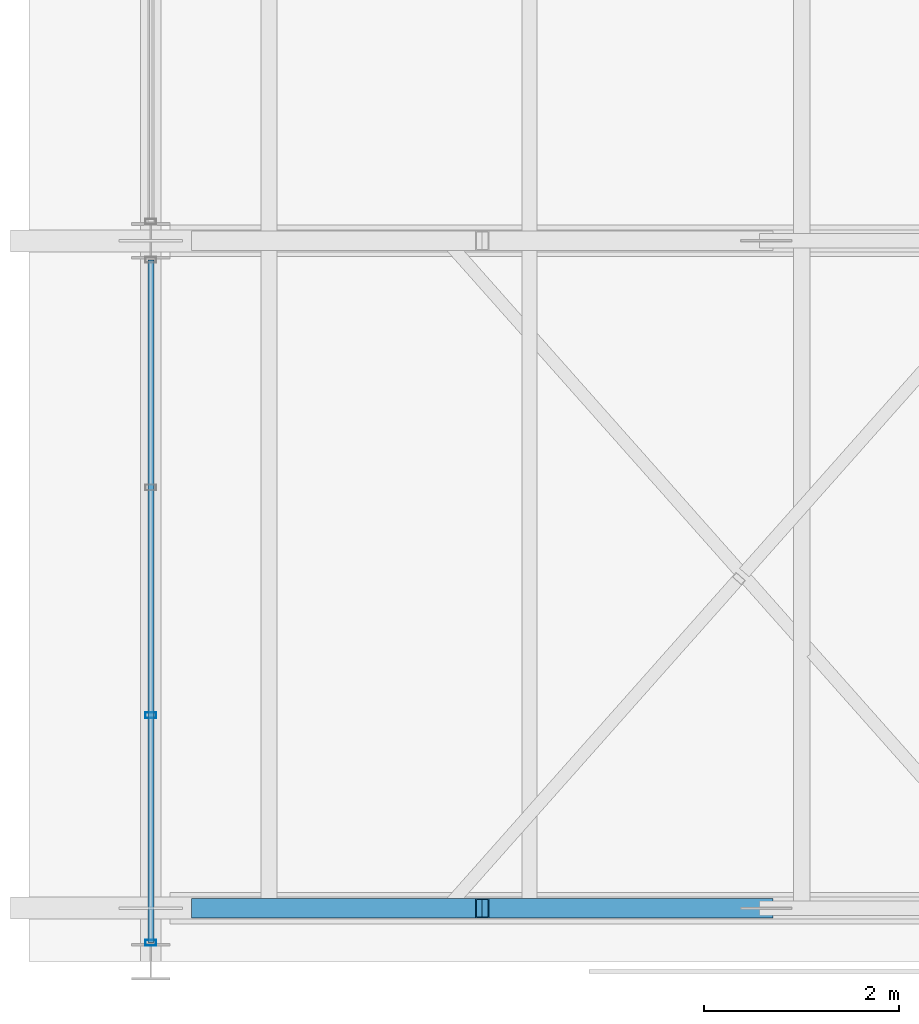
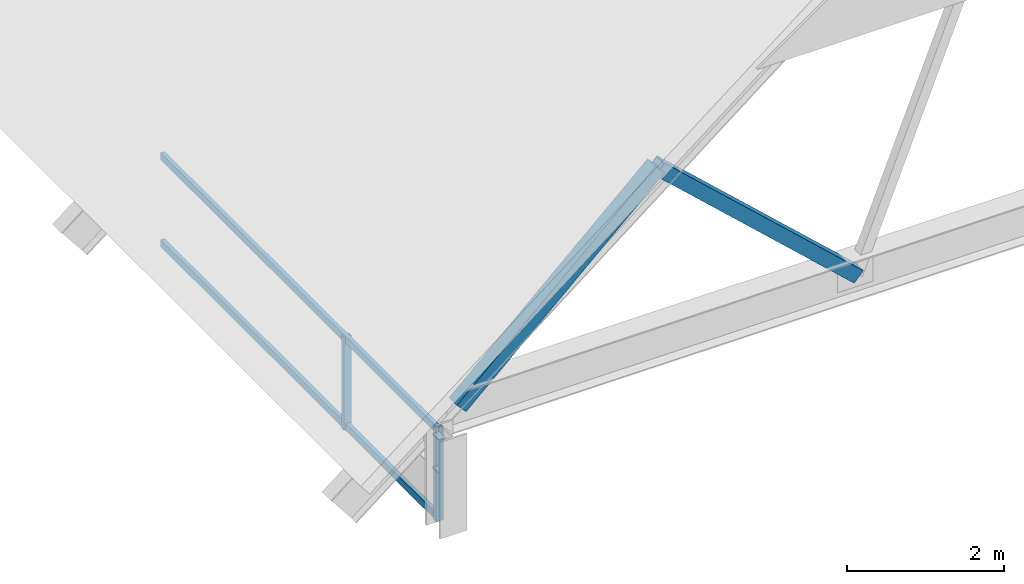
# One storey, part 3 of 44: 6 members, 1 element without a shape of its own.
"""IFC4 building model written with IfcOpenShell, lengths in metres."""

import ifcopenshell
import ifcopenshell.guid

model = None  # the IFC model being written
_history = None  # IfcOwnerHistory: only IFC2X3 demands one
_inside = {}  # id of a spatial element -> (the spatial element, [elements in it])
_under = {}  # id of a project, library or spatial element -> (it, [spatial elements below it])
_declared = {}  # id of a project -> (the project, [libraries it declares])
_typed = {}  # id of a type object -> (the type object, [elements of that type])
_made_of = {}  # id of a material, layer set ... -> (it, [elements and type objects made of it])


def new_model(schema):
    """Start an empty IFC model of exactly this schema.

    Asked for "IFC4X3", IfcOpenShell would pick the latest addendum, in which some entities
    have other attributes; the version numbers below select the first issue.
    IFC2X3 requires an IfcOwnerHistory on every rooted entity: one is made here for all.
    """
    global model, _history
    if schema == "IFC4X3":
        model = ifcopenshell.file(schema_version=(4, 3, 0, 0))
    else:
        model = ifcopenshell.file(schema=schema)
    _inside.clear()
    _under.clear()
    _declared.clear()
    _typed.clear()
    _made_of.clear()
    _history = None
    if model.schema == "IFC2X3":
        org = make("IfcOrganization", Name="unknown")
        user = make(
            "IfcPersonAndOrganization",
            ThePerson=make("IfcPerson", FamilyName="unknown"),
            TheOrganization=org,
        )
        app = make(
            "IfcApplication",
            ApplicationDeveloper=org,
            Version="unknown",
            ApplicationFullName="unknown",
            ApplicationIdentifier="unknown",
        )
        _history = make(
            "IfcOwnerHistory",
            OwningUser=user,
            OwningApplication=app,
            ChangeAction="ADDED",
            CreationDate=0,
        )
    return model


def make(cls, **values):
    """One entity of the class cls with the attributes given. An attribute that is None is left unset."""
    return model.create_entity(
        cls, **{name: value for name, value in values.items() if value is not None}
    )


def rooted(cls, **values):
    """An entity with a GlobalId (a new one), such as an element, a storey or a relation."""
    return make(cls, GlobalId=ifcopenshell.guid.new(), OwnerHistory=_history, **values)


def si_unit(unit_type, name, prefix=None):
    """IfcSIUnit, for example si_unit("LENGTHUNIT", "METRE", prefix="MILLI")."""
    return make("IfcSIUnit", UnitType=unit_type, Prefix=prefix, Name=name)


def assignment(units):
    """IfcUnitAssignment: the units of a project."""
    return None if units is None else make("IfcUnitAssignment", Units=units)


def point(xyz):
    """IfcCartesianPoint."""
    return None if xyz is None else make("IfcCartesianPoint", Coordinates=xyz)


def direction(xyz):
    """IfcDirection."""
    return None if xyz is None else make("IfcDirection", DirectionRatios=xyz)


def frame(location, z_axis=None, x_axis=None):
    """IfcAxis2Placement3D, a coordinate frame: its origin and axes. An axis left out is left unset."""
    return make(
        "IfcAxis2Placement3D",
        Location=point(location),
        Axis=direction(z_axis),
        RefDirection=direction(x_axis),
    )


def frame_2d(location, x_axis=None):
    """IfcAxis2Placement2D, a coordinate frame in the plane: its origin and x axis."""
    return make(
        "IfcAxis2Placement2D", Location=point(location), RefDirection=direction(x_axis)
    )


def origin():
    """The frame at (0, 0, 0) with its axes left unset."""
    return frame((0.0, 0.0, 0.0))


def origin_2d():
    """The frame at (0, 0) in the plane with its x axis left unset."""
    return frame_2d((0.0, 0.0))


def place(relative_to, where):
    """IfcLocalPlacement: puts the frame where relative to a parent placement (None: the world)."""
    return make(
        "IfcLocalPlacement", PlacementRelTo=relative_to, RelativePlacement=where
    )


def context(
    kind, dimensions, precision=None, world=None, true_north=None, identifier=None
):
    """IfcGeometricRepresentationContext, for example the 3D "Model" context."""
    return make(
        "IfcGeometricRepresentationContext",
        ContextIdentifier=identifier,
        ContextType=kind,
        CoordinateSpaceDimension=dimensions,
        Precision=precision,
        WorldCoordinateSystem=world,
        TrueNorth=true_north,
    )


def subcontext(parent, identifier, kind, view, scale=None):
    """IfcGeometricRepresentationSubContext, for example "Body" below "Model"."""
    return make(
        "IfcGeometricRepresentationSubContext",
        ContextIdentifier=identifier,
        ContextType=kind,
        ParentContext=parent,
        TargetScale=scale,
        TargetView=view,
    )


def project(units=None, contexts=None):
    """IfcProject with its units and contexts."""
    return rooted(
        "IfcProject",
        Name="project",
        RepresentationContexts=contexts,
        UnitsInContext=assignment(units),
    )


def spatial(cls, under=None, at=None, **own):
    """A site, building, storey or space (cls), placed at a placement, below another one or the project."""
    s = rooted(cls, ObjectPlacement=at, **own)
    if under is not None:
        _under.setdefault(under.id(), (under, []))[1].append(s)
    return s


def profile(cls, at=None, kind="AREA", **sizes):
    """A parametric profile (cls). Its sizes go by their IFC names, for example OverallWidth=200.0."""
    return make(cls, ProfileType=kind, Position=at, **sizes)


def hollow_rectangle(**sizes):
    """IfcRectangleHollowProfileDef."""
    return profile("IfcRectangleHollowProfileDef", **sizes)


def extrude(swept, where, along, depth):
    """IfcExtrudedAreaSolid: the profile swept, set in the frame where, extruded along a direction by depth."""
    return make(
        "IfcExtrudedAreaSolid",
        SweptArea=swept,
        Position=where,
        ExtrudedDirection=direction(along),
        Depth=depth,
    )


def shape(context_of_items, identifier, shape_type, items):
    """IfcShapeRepresentation: the items that make up one representation, for example the "Body"."""
    return make(
        "IfcShapeRepresentation",
        ContextOfItems=context_of_items,
        RepresentationIdentifier=identifier,
        RepresentationType=shape_type,
        Items=items,
    )


def material(Name=None, Category=None):
    """IfcMaterial."""
    return make("IfcMaterial", Name=Name, Category=Category)


def material_profile(
    of_material, cross_section, Name=None, Category=None, Priority=None
):
    """IfcMaterialProfile: a cross section and its material."""
    return make(
        "IfcMaterialProfile",
        Name=Name,
        Material=of_material,
        Profile=cross_section,
        Priority=Priority,
        Category=Category,
    )


def profile_set(profiles, Name=None, composite=None):
    """IfcMaterialProfileSet."""
    return make(
        "IfcMaterialProfileSet",
        Name=Name,
        MaterialProfiles=profiles,
        CompositeProfile=composite,
    )


def made_of(thing, what):
    """Note that an element or type object is made of a material, layer set ...; save() writes the relation."""
    if what is not None:
        _made_of.setdefault(what.id(), (what, []))[1].append(thing)
    return thing


def type_object(cls, material=None, **own):
    """A type object (cls), such as IfcWallType, which elements share."""
    return made_of(rooted(cls, **own), material)


def element(
    cls,
    number,
    at=None,
    inside=None,
    cuts=None,
    type_object=None,
    material=None,
    context=None,
    identifier="Body",
    shape_type=None,
    held_by="IfcProductDefinitionShape",
    body=None,
    shapes=None,
    **own,
):
    """One element of the class cls, such as IfcWall. Its Tag is "e" and its number.

    at: its placement. inside: the storey or other place that contains it. cuts: it is an
    opening in that element (IfcRelVoidsElement). A single representation is given by context,
    identifier, shape_type and body (its items); several are given by shapes. held_by: the class
    of the entity that holds the representations. save() writes the other relations.
    """
    e = rooted(cls, Tag="e%d" % number, ObjectPlacement=at, **own)
    if body is not None:
        shapes = [shape(context, identifier, shape_type, body)]
    if shapes is not None:
        e.Representation = make(held_by, Representations=shapes)
    if inside is not None:
        _inside.setdefault(inside.id(), (inside, []))[1].append(e)
    if cuts is not None:
        rooted(
            "IfcRelVoidsElement", RelatingBuildingElement=cuts, RelatedOpeningElement=e
        )
    if type_object is not None:
        _typed.setdefault(type_object.id(), (type_object, []))[1].append(e)
    return made_of(e, material)


def aggregate(whole, parts):
    """IfcRelAggregates: a whole, such as a stair, and the parts it consists of."""
    return rooted("IfcRelAggregates", RelatingObject=whole, RelatedObjects=parts)


def save(model, path):
    """Write the relations noted so far, then the file.

    IfcRelAggregates (storeys below a building ...), IfcRelContainedInSpatialStructure (elements
    in a storey), IfcRelDefinesByType, IfcRelAssociatesMaterial and IfcRelDeclares: one each for
    every whole, place, type object, material and project.
    """
    for whole, parts in _under.values():
        aggregate(whole, parts)
    for where, things in _inside.values():
        rooted(
            "IfcRelContainedInSpatialStructure",
            RelatedElements=things,
            RelatingStructure=where,
        )
    for kind, things in _typed.values():
        rooted("IfcRelDefinesByType", RelatedObjects=things, RelatingType=kind)
    for what, things in _made_of.values():
        rooted("IfcRelAssociatesMaterial", RelatedObjects=things, RelatingMaterial=what)
    for by, libraries in _declared.values():
        rooted("IfcRelDeclares", RelatingContext=by, RelatedDefinitions=libraries)
    model.write(path)


model = new_model("IFC4")

# Units and contexts
model_context = context("Model", 3, precision=1e-05, world=origin(), true_north=direction((0.0, 1.0)))
body_context = subcontext(model_context, "Body", "Model", "MODEL_VIEW")
ifc_project = project(units=[si_unit("LENGTHUNIT", "METRE"), si_unit("AREAUNIT", "SQUARE_METRE"), si_unit("VOLUMEUNIT", "CUBIC_METRE"), si_unit("PLANEANGLEUNIT", "RADIAN"), si_unit("MASSUNIT", "GRAM", prefix="KILO")], contexts=[model_context])

# Site, building, storey
site_placement = place(None, origin())
site = spatial("IfcSite", under=ifc_project, at=site_placement, CompositionType="ELEMENT")
building_placement = place(site_placement, origin())
building = spatial("IfcBuilding", under=site, at=building_placement, Name="Cimatlan Art Gallery", CompositionType="ELEMENT")
storey_placement = place(building_placement, frame((0.0, 0.0, 26.39990234375)))
storey = spatial("IfcBuildingStorey", under=building, at=storey_placement, Name="Roof", CompositionType="ELEMENT", Elevation=26.39990234375)

# Curtain wall, members
ifc_material_1 = material(Name="Anodised bronze unitised curtain wall")
curtain_wall_type = type_object("IfcCurtainWallType", Name="CW-V-07010X01450-B3", PredefinedType="NOTDEFINED", material=ifc_material_1)
curtain_wall_placement = place(storey_placement, origin())
curtain_wall = element("IfcCurtainWall", 1, at=curtain_wall_placement, inside=storey, type_object=curtain_wall_type, Name="CW-CRW-W-03", PredefinedType="NOTDEFINED")
ifc_material_2 = material(Name="Anodised bronze aluminium 6063-T6", Category="aluminium")
ifc_material_profile_1 = material_profile(ifc_material_2, hollow_rectangle(XDim=0.06005859375, YDim=0.110107421875, WallThickness=0.00341796875, at=origin_2d()), Name="ALU60X110X3")
ifc_profile_set_1 = profile_set([ifc_material_profile_1], Name="Anodised bronze aluminium 6063-T6")
member_type_1 = type_object("IfcMemberType", Name="CW-MUL-110", PredefinedType="MULLION", material=ifc_profile_set_1)
member_1_placement = place(storey_placement, frame((74.89990234375, 24.094970703125, 0.0), z_axis=(0.0, 0.0, 1.0), x_axis=(0.0, 1.0, 0.0)))
member_1 = element("IfcMember", 2, at=member_1_placement, type_object=member_type_1, Name="CW-CRW-W-03-M1", PredefinedType="MULLION", context=body_context, shape_type="SweptSolid", body=[
    extrude(hollow_rectangle(XDim=0.06005859375, YDim=0.110107421875, WallThickness=0.00341796875, at=origin_2d()), origin(), (0.0, 0.0, 1.0), 1.4501953125),
])
member_2_placement = place(storey_placement, frame((74.89990234375, 26.431640625, 0.0), z_axis=(0.0, 0.0, 1.0), x_axis=(0.0, 1.0, 0.0)))
member_2 = element("IfcMember", 3, at=member_2_placement, type_object=member_type_1, Name="CW-CRW-W-03-M2", PredefinedType="MULLION", context=body_context, shape_type="SweptSolid", body=[
    extrude(hollow_rectangle(XDim=0.06005859375, YDim=0.110107421875, WallThickness=0.00341796875, at=origin_2d()), origin(), (0.0, 0.0, 1.0), 1.4501953125),
])
ifc_material_profile_2 = material_profile(ifc_material_2, hollow_rectangle(XDim=0.06005859375, YDim=0.110107421875, WallThickness=0.00341796875, at=origin_2d()), Name="ALU60X110X3")
ifc_profile_set_2 = profile_set([ifc_material_profile_2], Name="Anodised bronze aluminium 6063-T6")
member_type_2 = type_object("IfcMemberType", Name="CW-TRN-110", PredefinedType="USERDEFINED", material=ifc_profile_set_2)
member_3_placement = place(storey_placement, frame((74.89990234375, 24.094970703125, 0.050048828125), z_axis=(0.0, 1.0, 0.0), x_axis=(-1.0, 0.0, 0.0)))
member_3 = element("IfcMember", 4, at=member_3_placement, type_object=member_type_2, Name="CW-CRW-W-03-T1", ObjectType="TRANSOM", PredefinedType="USERDEFINED", context=body_context, shape_type="SweptSolid", body=[
    extrude(hollow_rectangle(XDim=0.06005859375, YDim=0.110107421875, WallThickness=0.00341796875, at=origin_2d()), origin(), (0.0, 0.0, 1.0), 7.010009765625),
])
member_4_placement = place(storey_placement, frame((74.89990234375, 24.094970703125, 1.400146484375), z_axis=(0.0, 1.0, 0.0), x_axis=(-1.0, 0.0, 0.0)))
member_4 = element("IfcMember", 5, at=member_4_placement, type_object=member_type_2, Name="CW-CRW-W-03-T2", ObjectType="TRANSOM", PredefinedType="USERDEFINED", context=body_context, shape_type="SweptSolid", body=[
    extrude(hollow_rectangle(XDim=0.06005859375, YDim=0.110107421875, WallThickness=0.00341796875, at=origin_2d()), origin(), (0.0, 0.0, 1.0), 7.010009765625),
])
aggregate(curtain_wall, [member_1, member_2, member_3, member_4])

# Members
ifc_material_3 = material(Name="Steel ASTM A500 Grade C", Category="steel")
ifc_material_profile_3 = material_profile(ifc_material_3, hollow_rectangle(XDim=0.199951171875, YDim=0.199951171875, WallThickness=0.010009765625, at=origin_2d()), Name="HSS200X200X10")
ifc_profile_set_3 = profile_set([ifc_material_profile_3], Name="Steel ASTM A500 Grade C")
member_type_3 = type_object("IfcMemberType", Name="MBR-TRS-DIAG-1", PredefinedType="BRACE", material=ifc_profile_set_3)
for number, where, z_axis, x_axis, name in (
    (6, (75.385986328125, 24.449951171875, 1.400146484375), (0.735270574228, 0.0, 0.677773695768), (0.0, 1.0, 0.0), "TRS-01-DW-1"),
    (7, (78.302001953125, 24.449951171875, 4.088134765625), (0.735270574228, 0.0, -0.677773695768), (0.0, 1.0, 0.0), "TRS-01-DW-2"),
):
    element("IfcMember", number, at=place(storey_placement, frame(where, z_axis=z_axis, x_axis=x_axis)), inside=storey, type_object=member_type_3, Name=name, PredefinedType="BRACE", context=body_context, shape_type="SweptSolid", body=[
        extrude(hollow_rectangle(XDim=0.199951171875, YDim=0.199951171875, WallThickness=0.010009765625, at=origin_2d()), origin(), (0.0, 0.0, 1.0), 3.9658203125),
    ])

save(model, "model.ifc")
